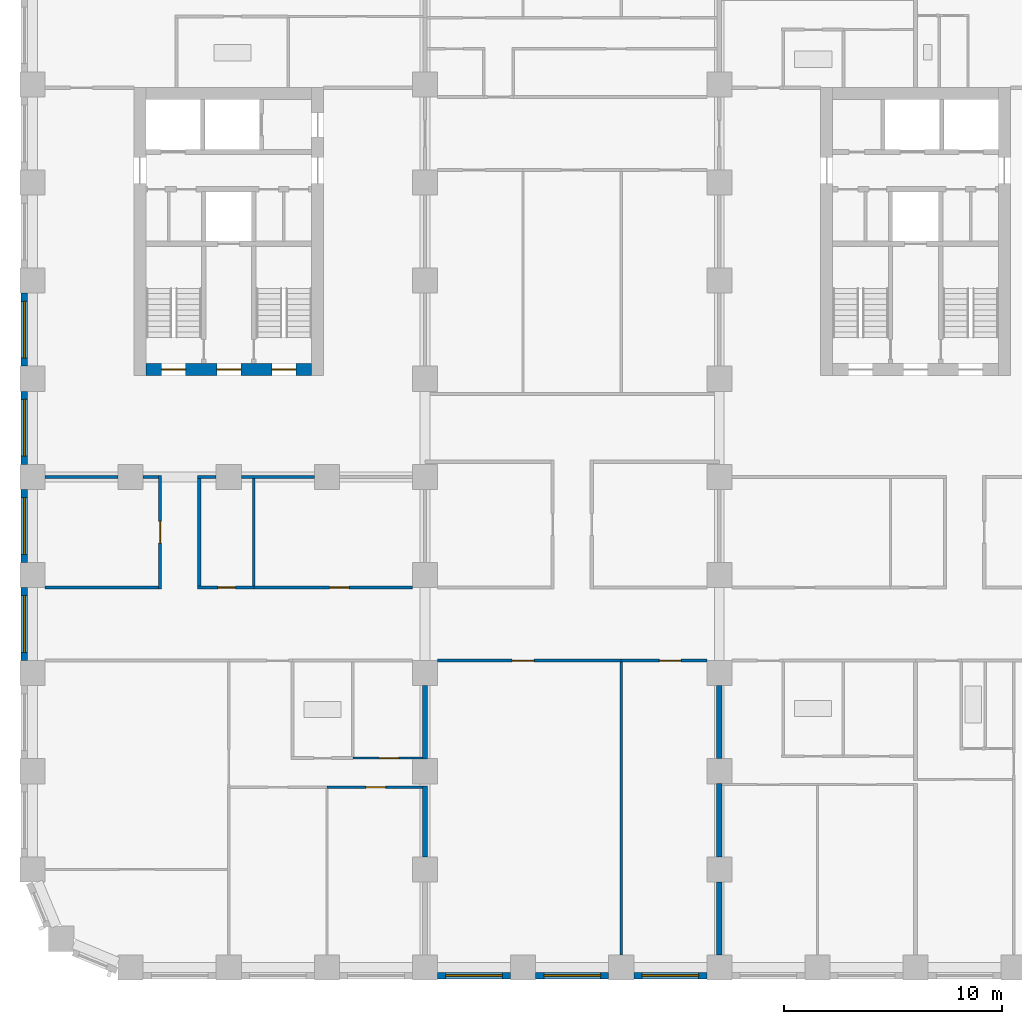
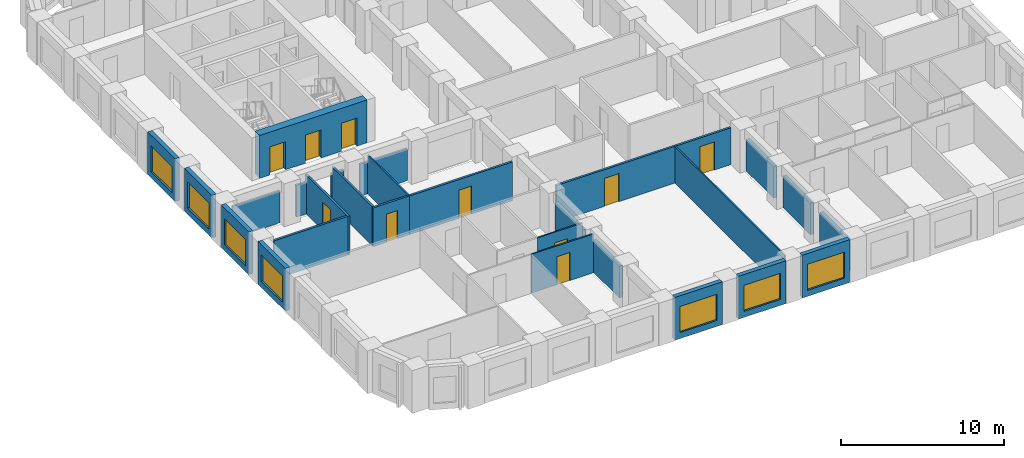
# One storey, part 3 of 13: 28 walls, 10 doors, 7 windows, 17 openings.
"""IFC4 building model written with IfcOpenShell, lengths in metres."""

from ifc_helpers import new_model, si_unit, direction, frame, frame_2d, origin, place, context, subcontext, project, spatial, rectangle, extrude, material, layer, layer_set, type_object, element, fill, save


model = new_model("IFC4")

# Units and contexts
model_context = context("Model", 3, precision=1e-05, world=origin(), true_north=direction((0.0, 1.0)))
body_context = subcontext(model_context, "Body", "Model", "MODEL_VIEW")
ifc_project = project(units=[si_unit("LENGTHUNIT", "METRE"), si_unit("AREAUNIT", "SQUARE_METRE"), si_unit("VOLUMEUNIT", "CUBIC_METRE"), si_unit("PLANEANGLEUNIT", "RADIAN"), si_unit("MASSUNIT", "GRAM", prefix="KILO")], contexts=[model_context])

# Site, building, storey
site_placement = place(None, origin())
site = spatial("IfcSite", under=ifc_project, at=site_placement, CompositionType="ELEMENT")
building_placement = place(site_placement, origin())
building = spatial("IfcBuilding", under=site, at=building_placement, Name="Girih Gate Residences", CompositionType="ELEMENT")
storey_placement = place(building_placement, frame((0.0, 0.0, 92.800048828125)))
storey = spatial("IfcBuildingStorey", under=building, at=storey_placement, Name="L25", CompositionType="ELEMENT", Elevation=92.800048828125)

# Walls
ifc_material_1 = material(Name="Gypsum board on steel studs", Category="steel")
ifc_layer_1 = layer(ifc_material_1, 0.25)
ifc_layer_set_1 = layer_set([ifc_layer_1], Name="Acoustic separating wall 250 mm")
wall_type_1 = type_object("IfcWallType", Name="Acoustic separating wall 250 mm", PredefinedType="PARTITIONING", material=ifc_layer_set_1)
wall_1_placement = place(storey_placement, frame((18.0, 5.074951171875, 0.0), z_axis=(0.0, 0.0, 1.0), x_axis=(0.0, 1.0, 0.0)))
element("IfcWall", 1, at=wall_1_placement, inside=storey, type_object=wall_type_1, Name="L25 partition", PredefinedType="PARTITIONING", context=body_context, shape_type="SweptSolid", body=[
    extrude(rectangle(XDim=3.239990234375, YDim=0.25, at=frame_2d((1.6201171875, 0.0))), origin(), (0.0, 0.0, 1.0), 2.3798828125),
])
wall_2_placement = place(storey_placement, frame((18.0, 9.554931640625, 0.0), z_axis=(0.0, 0.0, 1.0), x_axis=(0.0, 1.0, 0.0)))
element("IfcWall", 2, at=wall_2_placement, inside=storey, type_object=wall_type_1, Name="L25 partition", PredefinedType="PARTITIONING", context=body_context, shape_type="SweptSolid", body=[
    extrude(rectangle(XDim=3.3701171875, YDim=0.25, at=frame_2d((1.68505859375, 0.0))), origin(), (0.0, 0.0, 1.0), 2.3798828125),
])
for number, where, z_axis, x_axis, name in (
    (3, (31.5, 9.574951171875, 0.0), (0.0, 0.0, 1.0), (0.0, 1.0, 0.0), "L25 partition"),
    (4, (31.5, 0.574951171875, 0.0), (0.0, 0.0, 1.0), (0.0, 1.0, 0.0), "L25 partition"),
):
    element("IfcWall", number, at=place(storey_placement, frame(where, z_axis=z_axis, x_axis=x_axis)), inside=storey, type_object=wall_type_1, Name=name, PredefinedType="PARTITIONING", context=body_context, shape_type="SweptSolid", body=[
        extrude(rectangle(XDim=3.35009765625, YDim=0.25, at=frame_2d((1.675048828125, 0.0))), origin(), (0.0, 0.0, 1.0), 2.3798828125),
    ])
wall_3_placement = place(storey_placement, frame((31.5, 5.074951171875, 0.0), z_axis=(0.0, 0.0, 1.0), x_axis=(0.0, 1.0, 0.0)))
element("IfcWall", 5, at=wall_3_placement, inside=storey, type_object=wall_type_1, Name="L25 partition", PredefinedType="PARTITIONING", context=body_context, shape_type="SweptSolid", body=[
    extrude(rectangle(XDim=3.360107421875, YDim=0.25, at=frame_2d((1.68017578125, 0.0))), origin(), (0.0, 0.0, 1.0), 2.3798828125),
])

# Wall, opening, door
ifc_layer_2 = layer(ifc_material_1, 0.14990234375)
ifc_layer_set_2 = layer_set([ifc_layer_2], Name="Compartment wall 150 mm")
wall_type_2 = type_object("IfcWallType", Name="Compartment wall 150 mm", PredefinedType="PARTITIONING", material=ifc_layer_set_2)
wall_4_placement = place(storey_placement, frame((27.0, 14.074951171875, 0.0), z_axis=(0.0, 0.0, 1.0), x_axis=(-1.0, 0.0, 0.0)))
wall_4 = element("IfcWall", 6, at=wall_4_placement, inside=storey, type_object=wall_type_2, Name="L25 partition", PredefinedType="PARTITIONING", context=body_context, shape_type="SweptSolid", body=[
    extrude(rectangle(XDim=8.425048828125, YDim=0.14990234375, at=frame_2d((4.21240234375, 0.0))), origin(), (0.0, 0.0, 1.0), 2.75),
])
opening_1_placement = place(wall_4_placement, frame((4.0, 0.0, 0.0)))
opening_1 = element("IfcOpeningElement", 7, at=opening_1_placement, cuts=wall_4, Name="Opening A25-046", PredefinedType="OPENING", context=body_context, shape_type="SweptSolid", body=[
    extrude(rectangle(XDim=1.0, YDim=2.10009765625, at=frame_2d((0.5, 1.050048828125))), frame((0.0, 0.0849609375, 0.0), z_axis=(0.0, -1.0, 0.0), x_axis=(1.0, 0.0, 0.0)), (0.0, 0.0, 1.0), 0.169921875),
])
ifc_material_2 = material(Name="Timber, fire-rated core", Category="wood")
door_type_1 = type_object("IfcDoorType", Name="Amenity room door 1000x2100 FD30S", OperationType="NOTDEFINED", PredefinedType="DOOR", material=ifc_material_2)
door_1_placement = place(opening_1_placement, origin())
door_1 = element("IfcDoor", 8, at=door_1_placement, inside=storey, type_object=door_type_1, Name="Door A25-046", OperationType="SINGLE_SWING_RIGHT", OverallHeight=2.10009765625, OverallWidth=1.0, PredefinedType="DOOR", context=body_context, shape_type="SweptSolid", body=[
    extrude(rectangle(XDim=1.0, YDim=2.10009765625, at=frame_2d((0.5, 1.050048828125))), frame((0.0, 0.02490234375, 0.0), z_axis=(0.0, -1.0, 0.0), x_axis=(1.0, 0.0, 0.0)), (0.0, 0.0, 1.0), 0.050048828125),
])
fill(opening_1, door_1)

wall_5_placement = place(storey_placement, frame((30.925048828125, 14.074951171875, 0.0), z_axis=(0.0, 0.0, 1.0), x_axis=(-1.0, 0.0, 0.0)))
wall_5 = element("IfcWall", 9, at=wall_5_placement, inside=storey, type_object=wall_type_2, Name="L25 partition", PredefinedType="PARTITIONING", context=body_context, shape_type="SweptSolid", body=[
    extrude(rectangle(XDim=3.925048828125, YDim=0.14990234375, at=frame_2d((1.96240234375, 0.0))), origin(), (0.0, 0.0, 1.0), 2.75),
])
opening_2_placement = place(wall_5_placement, frame((1.175048828125, 0.0, 0.0)))
opening_2 = element("IfcOpeningElement", 10, at=opening_2_placement, cuts=wall_5, Name="Opening A25-047", PredefinedType="OPENING", context=body_context, shape_type="SweptSolid", body=[
    extrude(rectangle(XDim=1.0, YDim=2.10009765625, at=frame_2d((0.5, 1.050048828125))), frame((0.0, 0.0849609375, 0.0), z_axis=(0.0, -1.0, 0.0), x_axis=(1.0, 0.0, 0.0)), (0.0, 0.0, 1.0), 0.169921875),
])
door_2_placement = place(opening_2_placement, origin())
door_2 = element("IfcDoor", 11, at=door_2_placement, inside=storey, type_object=door_type_1, Name="Door A25-047", OperationType="SINGLE_SWING_LEFT", OverallHeight=2.10009765625, OverallWidth=1.0, PredefinedType="DOOR", context=body_context, shape_type="SweptSolid", body=[
    extrude(rectangle(XDim=1.0, YDim=2.10009765625, at=frame_2d((0.5, 1.050048828125))), frame((0.0, 0.02490234375, 0.0), z_axis=(0.0, -1.0, 0.0), x_axis=(1.0, 0.0, 0.0)), (0.0, 0.0, 1.0), 0.050048828125),
])
fill(opening_2, door_2)

wall_6_placement = place(storey_placement, frame((10.14990234375, 17.425048828125, 0.0), z_axis=(0.0, 0.0, 1.0), x_axis=(1.0, 0.0, 0.0)))
wall_6 = element("IfcWall", 12, at=wall_6_placement, inside=storey, type_object=wall_type_2, Name="L25 partition", PredefinedType="PARTITIONING", context=body_context, shape_type="SweptSolid", body=[
    extrude(rectangle(XDim=7.275146484375, YDim=0.14990234375, at=frame_2d((3.6376953125, 0.0))), origin(), (0.0, 0.0, 1.0), 2.89990234375),
])
opening_3_placement = place(wall_6_placement, frame((3.47509765625, 0.0, 0.0)))
opening_3 = element("IfcOpeningElement", 13, at=opening_3_placement, cuts=wall_6, Name="Opening A25-051", PredefinedType="OPENING", context=body_context, shape_type="SweptSolid", body=[
    extrude(rectangle(XDim=0.89990234375, YDim=2.10009765625, at=frame_2d((0.449951171875, 1.050048828125))), frame((0.0, 0.0849609375, 0.0), z_axis=(0.0, -1.0, 0.0), x_axis=(1.0, 0.0, 0.0)), (0.0, 0.0, 1.0), 0.169921875),
])
ifc_material_3 = material(Name="Timber", Category="wood")
door_type_2 = type_object("IfcDoorType", Name="Service room door 900x2100", OperationType="NOTDEFINED", PredefinedType="DOOR", material=ifc_material_3)
door_3_placement = place(opening_3_placement, origin())
door_3 = element("IfcDoor", 14, at=door_3_placement, inside=storey, type_object=door_type_2, Name="Door A25-051", OperationType="SINGLE_SWING_RIGHT", OverallHeight=2.10009765625, OverallWidth=0.89990234375, PredefinedType="DOOR", context=body_context, shape_type="SweptSolid", body=[
    extrude(rectangle(XDim=0.89990234375, YDim=2.10009765625, at=frame_2d((0.449951171875, 1.050048828125))), frame((0.0, 0.02490234375, 0.0), z_axis=(0.0, -1.0, 0.0), x_axis=(1.0, 0.0, 0.0)), (0.0, 0.0, 1.0), 0.050048828125),
])
fill(opening_3, door_3)

wall_7_placement = place(storey_placement, frame((7.574951171875, 17.425048828125, 0.0), z_axis=(0.0, 0.0, 1.0), x_axis=(1.0, 0.0, 0.0)))
wall_7 = element("IfcWall", 15, at=wall_7_placement, inside=storey, type_object=wall_type_2, Name="L25 partition", PredefinedType="PARTITIONING", context=body_context, shape_type="SweptSolid", body=[
    extrude(rectangle(XDim=2.574951171875, YDim=0.14990234375, at=frame_2d((1.28759765625, 0.0))), origin(), (0.0, 0.0, 1.0), 2.89990234375),
])
opening_4_placement = place(wall_7_placement, frame((0.925048828125, 0.0, 0.0)))
opening_4 = element("IfcOpeningElement", 16, at=opening_4_placement, cuts=wall_7, Name="Opening A25-053", PredefinedType="OPENING", context=body_context, shape_type="SweptSolid", body=[
    extrude(rectangle(XDim=0.800048828125, YDim=2.10009765625, at=frame_2d((0.39990234375, 1.050048828125))), frame((0.0, 0.0849609375, 0.0), z_axis=(0.0, -1.0, 0.0), x_axis=(1.0, 0.0, 0.0)), (0.0, 0.0, 1.0), 0.169921875),
])
door_type_3 = type_object("IfcDoorType", Name="Bathroom door 800x2100", OperationType="NOTDEFINED", PredefinedType="DOOR", material=ifc_material_3)
door_4_placement = place(opening_4_placement, origin())
door_4 = element("IfcDoor", 17, at=door_4_placement, inside=storey, type_object=door_type_3, Name="Door A25-053", OperationType="SINGLE_SWING_RIGHT", OverallHeight=2.10009765625, OverallWidth=0.800048828125, PredefinedType="DOOR", context=body_context, shape_type="SweptSolid", body=[
    extrude(rectangle(XDim=0.800048828125, YDim=2.10009765625, at=frame_2d((0.39990234375, 1.050048828125))), frame((0.0, 0.02490234375, 0.0), z_axis=(0.0, -1.0, 0.0), x_axis=(1.0, 0.0, 0.0)), (0.0, 0.0, 1.0), 0.050048828125),
])
fill(opening_4, door_4)

# Walls
wall_8_placement = place(storey_placement, frame((0.574951171875, 17.425048828125, 0.0), z_axis=(0.0, 0.0, 1.0), x_axis=(1.0, 0.0, 0.0)))
element("IfcWall", 18, at=wall_8_placement, inside=storey, type_object=wall_type_2, Name="L25 partition", PredefinedType="PARTITIONING", context=body_context, shape_type="SweptSolid", body=[
    extrude(rectangle(XDim=5.199951171875, YDim=0.14990234375, at=frame_2d((2.60009765625, 0.0))), origin(), (0.0, 0.0, 1.0), 2.89990234375),
])
wall_9_placement = place(storey_placement, frame((9.574951171875, 22.5, 0.0), z_axis=(0.0, 0.0, 1.0), x_axis=(1.0, 0.0, 0.0)))
element("IfcWall", 19, at=wall_9_placement, inside=storey, type_object=wall_type_2, Name="L25 partition", PredefinedType="PARTITIONING", context=body_context, shape_type="SweptSolid", body=[
    extrude(rectangle(XDim=3.35009765625, YDim=0.14990234375, at=frame_2d((1.675048828125, 0.0))), origin(), (0.0, 0.0, 1.0), 2.3798828125),
])
wall_10_placement = place(storey_placement, frame((7.574951171875, 22.5, 0.0), z_axis=(0.0, 0.0, 1.0), x_axis=(1.0, 0.0, 0.0)))
element("IfcWall", 20, at=wall_10_placement, inside=storey, type_object=wall_type_2, Name="L25 partition", PredefinedType="PARTITIONING", context=body_context, shape_type="SweptSolid", body=[
    extrude(rectangle(XDim=0.85009765625, YDim=0.14990234375, at=frame_2d((0.425048828125, 0.0))), origin(), (0.0, 0.0, 1.0), 2.3798828125),
])
wall_11_placement = place(storey_placement, frame((5.074951171875, 22.5, 0.0), z_axis=(0.0, 0.0, 1.0), x_axis=(1.0, 0.0, 0.0)))
element("IfcWall", 21, at=wall_11_placement, inside=storey, type_object=wall_type_2, Name="L25 partition", PredefinedType="PARTITIONING", context=body_context, shape_type="SweptSolid", body=[
    extrude(rectangle(XDim=0.699951171875, YDim=0.14990234375, at=frame_2d((0.35009765625, 0.0))), origin(), (0.0, 0.0, 1.0), 2.3798828125),
])
wall_12_placement = place(storey_placement, frame((0.574951171875, 22.5, 0.0), z_axis=(0.0, 0.0, 1.0), x_axis=(1.0, 0.0, 0.0)))
element("IfcWall", 22, at=wall_12_placement, inside=storey, type_object=wall_type_2, Name="L25 partition", PredefinedType="PARTITIONING", context=body_context, shape_type="SweptSolid", body=[
    extrude(rectangle(XDim=3.35009765625, YDim=0.14990234375, at=frame_2d((1.675048828125, 0.0))), origin(), (0.0, 0.0, 1.0), 2.3798828125),
])
wall_13_placement = place(storey_placement, frame((7.64990234375, 17.5, 0.0), z_axis=(0.0, 0.0, 1.0), x_axis=(0.0, 1.0, 0.0)))
element("IfcWall", 23, at=wall_13_placement, inside=storey, type_object=wall_type_2, Name="L25 partition", PredefinedType="PARTITIONING", context=body_context, shape_type="SweptSolid", body=[
    extrude(rectangle(XDim=4.925048828125, YDim=0.14990234375, at=frame_2d((2.46240234375, 0.0))), origin(), (0.0, 0.0, 1.0), 2.89990234375),
])

# Wall, opening, door
wall_14_placement = place(storey_placement, frame((5.85009765625, 17.35009765625, 0.0), z_axis=(0.0, 0.0, 1.0), x_axis=(0.0, 1.0, 0.0)))
wall_14 = element("IfcWall", 24, at=wall_14_placement, inside=storey, type_object=wall_type_2, Name="L25 partition", PredefinedType="PARTITIONING", context=body_context, shape_type="SweptSolid", body=[
    extrude(rectangle(XDim=5.224853515625, YDim=0.14990234375, at=frame_2d((2.6123046875, 0.0))), origin(), (0.0, 0.0, 1.0), 2.89990234375),
])
opening_5_placement = place(wall_14_placement, frame((2.112548828125, 0.0, 0.0)))
opening_5 = element("IfcOpeningElement", 25, at=opening_5_placement, cuts=wall_14, Name="Opening A25-055", PredefinedType="OPENING", context=body_context, shape_type="SweptSolid", body=[
    extrude(rectangle(XDim=1.0, YDim=2.10009765625, at=frame_2d((0.5, 1.050048828125))), frame((0.0, 0.0849609375, 0.0), z_axis=(0.0, -1.0, 0.0), x_axis=(1.0, 0.0, 0.0)), (0.0, 0.0, 1.0), 0.169921875),
])
door_5_placement = place(opening_5_placement, origin())
door_5 = element("IfcDoor", 26, at=door_5_placement, inside=storey, type_object=door_type_1, Name="Door A25-055", OperationType="SINGLE_SWING_LEFT", OverallHeight=2.10009765625, OverallWidth=1.0, PredefinedType="DOOR", context=body_context, shape_type="SweptSolid", body=[
    extrude(rectangle(XDim=1.0, YDim=2.10009765625, at=frame_2d((0.5, 1.050048828125))), frame((0.0, 0.02490234375, 0.0), z_axis=(0.0, -1.0, 0.0), x_axis=(1.0, 0.0, 0.0)), (0.0, 0.0, 1.0), 0.050048828125),
])
fill(opening_5, door_5)

# Wall, openings, doors
ifc_material_4 = material(Name="Concrete C60/75", Category="concrete")
ifc_layer_3 = layer(ifc_material_4, 0.550048828125)
ifc_layer_set_3 = layer_set([ifc_layer_3], Name="Core wall RC 550 Concrete C60/75")
wall_type_3 = type_object("IfcWallType", Name="Core wall RC 550 Concrete C60/75", PredefinedType="SOLIDWALL", material=ifc_layer_set_3)
wall_15_placement = place(storey_placement, frame((5.199951171875, 27.425048828125, 0.0), z_axis=(0.0, 0.0, 1.0), x_axis=(1.0, 0.0, 0.0)))
wall_15 = element("IfcWall", 27, at=wall_15_placement, inside=storey, type_object=wall_type_3, Name="Core wall W-S L25", PredefinedType="SOLIDWALL", context=body_context, shape_type="SweptSolid", body=[
    extrude(rectangle(XDim=7.60009765625, YDim=0.550048828125, at=frame_2d((3.800048828125, 0.0))), origin(), (0.0, 0.0, 1.0), 3.199951171875),
])
opening_6_placement = place(wall_15_placement, frame((0.72509765625, 0.0, 0.0)))
opening_6 = element("IfcOpeningElement", 28, at=opening_6_placement, cuts=wall_15, Name="Opening D-L25-W-010", PredefinedType="OPENING", context=body_context, shape_type="SweptSolid", body=[
    extrude(rectangle(XDim=1.10009765625, YDim=2.10009765625, at=frame_2d((0.550048828125, 1.050048828125))), frame((0.0, 0.284912109375, 0.0), z_axis=(0.0, -1.0, 0.0), x_axis=(1.0, 0.0, 0.0)), (0.0, 0.0, 1.0), 0.570068359375),
])
opening_7_placement = place(wall_15_placement, frame((3.25, 0.0, 0.0)))
opening_7 = element("IfcOpeningElement", 29, at=opening_7_placement, cuts=wall_15, Name="Opening D-L25-W-011", PredefinedType="OPENING", context=body_context, shape_type="SweptSolid", body=[
    extrude(rectangle(XDim=1.10009765625, YDim=2.10009765625, at=frame_2d((0.550048828125, 1.050048828125))), frame((0.0, 0.284912109375, 0.0), z_axis=(0.0, -1.0, 0.0), x_axis=(1.0, 0.0, 0.0)), (0.0, 0.0, 1.0), 0.570068359375),
])
opening_8_placement = place(wall_15_placement, frame((5.77490234375, 0.0, 0.0)))
opening_8 = element("IfcOpeningElement", 30, at=opening_8_placement, cuts=wall_15, Name="Opening D-L25-W-012", PredefinedType="OPENING", context=body_context, shape_type="SweptSolid", body=[
    extrude(rectangle(XDim=1.10009765625, YDim=2.10009765625, at=frame_2d((0.550048828125, 1.050048828125))), frame((0.0, 0.284912109375, 0.0), z_axis=(0.0, -1.0, 0.0), x_axis=(1.0, 0.0, 0.0)), (0.0, 0.0, 1.0), 0.570068359375),
])
ifc_material_5 = material(Name="Painted steel, fire-resisting", Category="steel")
door_type_4 = type_object("IfcDoorType", Name="Fire door 1100x2100", OperationType="SINGLE_SWING_LEFT", PredefinedType="DOOR", material=ifc_material_5)
door_6_placement = place(opening_6_placement, origin())
door_6 = element("IfcDoor", 31, at=door_6_placement, inside=storey, type_object=door_type_4, Name="L25 W core door sta-out", OperationType="SINGLE_SWING_LEFT", OverallHeight=2.10009765625, OverallWidth=1.10009765625, PredefinedType="DOOR", context=body_context, shape_type="SweptSolid", body=[
    extrude(rectangle(XDim=1.10009765625, YDim=2.10009765625, at=frame_2d((0.550048828125, 1.050048828125))), frame((0.0, 0.02490234375, 0.0), z_axis=(0.0, -1.0, 0.0), x_axis=(1.0, 0.0, 0.0)), (0.0, 0.0, 1.0), 0.050048828125),
])
fill(opening_6, door_6)
door_7_placement = place(opening_7_placement, origin())
door_7 = element("IfcDoor", 32, at=door_7_placement, inside=storey, type_object=door_type_4, Name="L25 W core door ffl-out", OperationType="SINGLE_SWING_LEFT", OverallHeight=2.10009765625, OverallWidth=1.10009765625, PredefinedType="DOOR", context=body_context, shape_type="SweptSolid", body=[
    extrude(rectangle(XDim=1.10009765625, YDim=2.10009765625, at=frame_2d((0.550048828125, 1.050048828125))), frame((0.0, 0.02490234375, 0.0), z_axis=(0.0, -1.0, 0.0), x_axis=(1.0, 0.0, 0.0)), (0.0, 0.0, 1.0), 0.050048828125),
])
fill(opening_7, door_7)
door_8_placement = place(opening_8_placement, origin())
door_8 = element("IfcDoor", 33, at=door_8_placement, inside=storey, type_object=door_type_4, Name="L25 W core door stb-out", OperationType="SINGLE_SWING_LEFT", OverallHeight=2.10009765625, OverallWidth=1.10009765625, PredefinedType="DOOR", context=body_context, shape_type="SweptSolid", body=[
    extrude(rectangle(XDim=1.10009765625, YDim=2.10009765625, at=frame_2d((0.550048828125, 1.050048828125))), frame((0.0, 0.02490234375, 0.0), z_axis=(0.0, -1.0, 0.0), x_axis=(1.0, 0.0, 0.0)), (0.0, 0.0, 1.0), 0.050048828125),
])
fill(opening_8, door_8)

# Wall, opening, door
ifc_layer_4 = layer(ifc_material_1, 0.10009765625)
ifc_layer_set_4 = layer_set([ifc_layer_4], Name="Partition 100 mm")
wall_type_4 = type_object("IfcWallType", Name="Partition 100 mm", PredefinedType="PARTITIONING", material=ifc_layer_set_4)
wall_16_placement = place(storey_placement, frame((17.875, 8.264892578125, 0.0), z_axis=(0.0, 0.0, 1.0), x_axis=(-1.0, 0.0, 0.0)))
wall_16 = element("IfcWall", 34, at=wall_16_placement, inside=storey, type_object=wall_type_4, Name="L25 partition", PredefinedType="PARTITIONING", context=body_context, shape_type="SweptSolid", body=[
    extrude(rectangle(XDim=4.375, YDim=0.10009765625, at=frame_2d((2.1875, 0.0))), origin(), (0.0, 0.0, 1.0), 2.89990234375),
])
opening_9_placement = place(wall_16_placement, frame((1.675048828125, 0.0, 0.0)))
opening_9 = element("IfcOpeningElement", 35, at=opening_9_placement, cuts=wall_16, Name="Opening A25-003", PredefinedType="OPENING", context=body_context, shape_type="SweptSolid", body=[
    extrude(rectangle(XDim=0.89990234375, YDim=2.10009765625, at=frame_2d((0.449951171875, 1.050048828125))), frame((0.0, 0.06005859375, 0.0), z_axis=(0.0, -1.0, 0.0), x_axis=(1.0, 0.0, 0.0)), (0.0, 0.0, 1.0), 0.1201171875),
])
door_type_5 = type_object("IfcDoorType", Name="Bedroom door 900x2100", OperationType="NOTDEFINED", PredefinedType="DOOR", material=ifc_material_3)
door_9_placement = place(opening_9_placement, origin())
door_9 = element("IfcDoor", 36, at=door_9_placement, inside=storey, type_object=door_type_5, Name="Door A25-003", OperationType="SINGLE_SWING_LEFT", OverallHeight=2.10009765625, OverallWidth=0.89990234375, PredefinedType="DOOR", context=body_context, shape_type="SweptSolid", body=[
    extrude(rectangle(XDim=0.89990234375, YDim=2.10009765625, at=frame_2d((0.449951171875, 1.050048828125))), frame((0.0, 0.02490234375, 0.0), z_axis=(0.0, -1.0, 0.0), x_axis=(1.0, 0.0, 0.0)), (0.0, 0.0, 1.0), 0.050048828125),
])
fill(opening_9, door_9)

wall_17_placement = place(storey_placement, frame((14.6904296875, 9.60498046875, 0.0), z_axis=(0.0, 0.0, 1.0), x_axis=(1.0, 0.0, 0.0)))
wall_17 = element("IfcWall", 37, at=wall_17_placement, inside=storey, type_object=wall_type_4, Name="L25 partition", PredefinedType="PARTITIONING", context=body_context, shape_type="SweptSolid", body=[
    extrude(rectangle(XDim=3.1845703125, YDim=0.10009765625, at=frame_2d((1.59228515625, 0.0))), origin(), (0.0, 0.0, 1.0), 2.89990234375),
])
opening_10_placement = place(wall_17_placement, frame((1.20458984375, 0.0, 0.0)))
opening_10 = element("IfcOpeningElement", 38, at=opening_10_placement, cuts=wall_17, Name="Opening A25-006", PredefinedType="OPENING", context=body_context, shape_type="SweptSolid", body=[
    extrude(rectangle(XDim=0.89990234375, YDim=2.10009765625, at=frame_2d((0.449951171875, 1.050048828125))), frame((0.0, 0.06005859375, 0.0), z_axis=(0.0, -1.0, 0.0), x_axis=(1.0, 0.0, 0.0)), (0.0, 0.0, 1.0), 0.1201171875),
])
door_type_6 = type_object("IfcDoorType", Name="Kitchen door 900x2100", OperationType="NOTDEFINED", PredefinedType="DOOR", material=ifc_material_3)
door_10_placement = place(opening_10_placement, origin())
door_10 = element("IfcDoor", 39, at=door_10_placement, inside=storey, type_object=door_type_6, Name="Door A25-006", OperationType="SINGLE_SWING_RIGHT", OverallHeight=2.10009765625, OverallWidth=0.89990234375, PredefinedType="DOOR", context=body_context, shape_type="SweptSolid", body=[
    extrude(rectangle(XDim=0.89990234375, YDim=2.10009765625, at=frame_2d((0.449951171875, 1.050048828125))), frame((0.0, 0.02490234375, 0.0), z_axis=(0.0, -1.0, 0.0), x_axis=(1.0, 0.0, 0.0)), (0.0, 0.0, 1.0), 0.050048828125),
])
fill(opening_10, door_10)

# Walls
wall_18_placement = place(storey_placement, frame((27.0, 0.574951171875, 0.0), z_axis=(0.0, 0.0, 1.0), x_axis=(0.0, 1.0, 0.0)))
element("IfcWall", 40, at=wall_18_placement, inside=storey, type_object=wall_type_4, Name="L25 partition", PredefinedType="PARTITIONING", context=body_context, shape_type="SweptSolid", body=[
    extrude(rectangle(XDim=13.425048828125, YDim=0.10009765625, at=frame_2d((6.71240234375, 0.0))), origin(), (0.0, 0.0, 1.0), 2.75),
])
wall_19_placement = place(storey_placement, frame((10.14990234375, 17.5, 0.0), z_axis=(0.0, 0.0, 1.0), x_axis=(0.0, 1.0, 0.0)))
element("IfcWall", 41, at=wall_19_placement, inside=storey, type_object=wall_type_4, Name="L25 partition", PredefinedType="PARTITIONING", context=body_context, shape_type="SweptSolid", body=[
    extrude(rectangle(XDim=4.925048828125, YDim=0.10009765625, at=frame_2d((2.46240234375, 0.0))), origin(), (0.0, 0.0, 1.0), 2.89990234375),
])

# Wall, opening, window
ifc_material_6 = material(Name="Precast concrete C50/60", Category="concrete")
ifc_layer_5 = layer(ifc_material_6, 0.080078125, Name="Outer leaf")
ifc_material_7 = material(Name="Rigid PIR insulation")
ifc_layer_6 = layer(ifc_material_7, 0.14990234375, Name="Insulation")
ifc_material_8 = material(Name="Precast concrete C40/50", Category="concrete")
ifc_layer_7 = layer(ifc_material_8, 0.070068359375, Name="Inner leaf")
ifc_layer_set_5 = layer_set([ifc_layer_5, ifc_layer_6, ifc_layer_7], Name="Precast concrete C50/60 external wall 300")
wall_type_5 = type_object("IfcWallType", Name="Precast concrete C50/60 external wall 300", PredefinedType="SOLIDWALL", material=ifc_layer_set_5)
wall_20_placement = place(storey_placement, frame((21.925048828125, -0.375, 0.0), z_axis=(0.0, 0.0, 1.0), x_axis=(-1.0, 0.0, 0.0)))
wall_20 = element("IfcWall", 42, at=wall_20_placement, inside=storey, type_object=wall_type_5, Name="External wall S0045_0000.3", PredefinedType="SOLIDWALL", context=body_context, shape_type="SweptSolid", body=[
    extrude(rectangle(XDim=3.35009765625, YDim=0.300048828125, at=frame_2d((1.675048828125, 0.0))), origin(), (0.0, 0.0, 1.0), 3.199951171875),
])
opening_11_placement = place(wall_20_placement, frame((0.375, 0.0, 0.449951171875)))
opening_11 = element("IfcOpeningElement", 43, at=opening_11_placement, cuts=wall_20, Name="Opening W-1A", PredefinedType="OPENING", context=body_context, shape_type="SweptSolid", body=[
    extrude(rectangle(XDim=2.60009765625, YDim=1.949951171875, at=frame_2d((1.300048828125, 0.97509765625))), frame((0.0, 0.159912109375, 0.0), z_axis=(0.0, -1.0, 0.0), x_axis=(1.0, 0.0, 0.0)), (0.0, 0.0, 1.0), 0.320068359375),
])
ifc_material_9 = material(Name="Double glazing in aluminium frame", Category="aluminium")
window_type = type_object("IfcWindowType", Name="Window W-1A 2600x1950", PartitioningType="SINGLE_PANEL", PredefinedType="WINDOW", material=ifc_material_9)
window_1_placement = place(opening_11_placement, origin())
window_1 = element("IfcWindow", 44, at=window_1_placement, inside=storey, type_object=window_type, Name="Window W-1A S0045_0000.3", OverallHeight=1.949951171875, OverallWidth=2.60009765625, PartitioningType="SINGLE_PANEL", PredefinedType="WINDOW", context=body_context, shape_type="SweptSolid", body=[
    extrude(rectangle(XDim=2.60009765625, YDim=1.949951171875, at=frame_2d((1.300048828125, 0.97509765625))), frame((0.0, 0.030029296875, 0.0), z_axis=(0.0, -1.0, 0.0), x_axis=(1.0, 0.0, 0.0)), (0.0, 0.0, 1.0), 0.06005859375),
])
fill(opening_11, window_1)

wall_21_placement = place(storey_placement, frame((26.425048828125, -0.375, 0.0), z_axis=(0.0, 0.0, 1.0), x_axis=(-1.0, 0.0, 0.0)))
wall_21 = element("IfcWall", 45, at=wall_21_placement, inside=storey, type_object=wall_type_5, Name="External wall S0045_0000.4", PredefinedType="SOLIDWALL", context=body_context, shape_type="SweptSolid", body=[
    extrude(rectangle(XDim=3.35009765625, YDim=0.300048828125, at=frame_2d((1.675048828125, 0.0))), origin(), (0.0, 0.0, 1.0), 3.199951171875),
])
opening_12_placement = place(wall_21_placement, frame((0.375, 0.0, 0.449951171875)))
opening_12 = element("IfcOpeningElement", 46, at=opening_12_placement, cuts=wall_21, Name="Opening W-1A", PredefinedType="OPENING", context=body_context, shape_type="SweptSolid", body=[
    extrude(rectangle(XDim=2.60009765625, YDim=1.949951171875, at=frame_2d((1.300048828125, 0.97509765625))), frame((0.0, 0.159912109375, 0.0), z_axis=(0.0, -1.0, 0.0), x_axis=(1.0, 0.0, 0.0)), (0.0, 0.0, 1.0), 0.320068359375),
])
window_2_placement = place(opening_12_placement, origin())
window_2 = element("IfcWindow", 47, at=window_2_placement, inside=storey, type_object=window_type, Name="Window W-1A S0045_0000.4", OverallHeight=1.949951171875, OverallWidth=2.60009765625, PartitioningType="SINGLE_PANEL", PredefinedType="WINDOW", context=body_context, shape_type="SweptSolid", body=[
    extrude(rectangle(XDim=2.60009765625, YDim=1.949951171875, at=frame_2d((1.300048828125, 0.97509765625))), frame((0.0, 0.030029296875, 0.0), z_axis=(0.0, -1.0, 0.0), x_axis=(1.0, 0.0, 0.0)), (0.0, 0.0, 1.0), 0.06005859375),
])
fill(opening_12, window_2)

wall_22_placement = place(storey_placement, frame((30.925048828125, -0.375, 0.0), z_axis=(0.0, 0.0, 1.0), x_axis=(-1.0, 0.0, 0.0)))
wall_22 = element("IfcWall", 48, at=wall_22_placement, inside=storey, type_object=wall_type_5, Name="External wall S0045_0000.5", PredefinedType="SOLIDWALL", context=body_context, shape_type="SweptSolid", body=[
    extrude(rectangle(XDim=3.35009765625, YDim=0.300048828125, at=frame_2d((1.675048828125, 0.0))), origin(), (0.0, 0.0, 1.0), 3.199951171875),
])
opening_13_placement = place(wall_22_placement, frame((0.375, 0.0, 0.449951171875)))
opening_13 = element("IfcOpeningElement", 49, at=opening_13_placement, cuts=wall_22, Name="Opening W-1A", PredefinedType="OPENING", context=body_context, shape_type="SweptSolid", body=[
    extrude(rectangle(XDim=2.60009765625, YDim=1.949951171875, at=frame_2d((1.300048828125, 0.97509765625))), frame((0.0, 0.159912109375, 0.0), z_axis=(0.0, -1.0, 0.0), x_axis=(1.0, 0.0, 0.0)), (0.0, 0.0, 1.0), 0.320068359375),
])
window_3_placement = place(opening_13_placement, origin())
window_3 = element("IfcWindow", 50, at=window_3_placement, inside=storey, type_object=window_type, Name="Window W-1A S0045_0000.5", OverallHeight=1.949951171875, OverallWidth=2.60009765625, PartitioningType="SINGLE_PANEL", PredefinedType="WINDOW", context=body_context, shape_type="SweptSolid", body=[
    extrude(rectangle(XDim=2.60009765625, YDim=1.949951171875, at=frame_2d((1.300048828125, 0.97509765625))), frame((0.0, 0.030029296875, 0.0), z_axis=(0.0, -1.0, 0.0), x_axis=(1.0, 0.0, 0.0)), (0.0, 0.0, 1.0), 0.06005859375),
])
fill(opening_13, window_3)

wall_23_placement = place(storey_placement, frame((-0.375, 27.574951171875, 0.0), z_axis=(0.0, 0.0, 1.0), x_axis=(0.0, 1.0, 0.0)))
wall_23 = element("IfcWall", 51, at=wall_23_placement, inside=storey, type_object=wall_type_5, Name="External wall W0000_0450.3", PredefinedType="SOLIDWALL", context=body_context, shape_type="SweptSolid", body=[
    extrude(rectangle(XDim=3.35009765625, YDim=0.300048828125, at=frame_2d((1.675048828125, 0.0))), origin(), (0.0, 0.0, 1.0), 3.199951171875),
])
opening_14_placement = place(wall_23_placement, frame((0.375, 0.0, 0.449951171875)))
opening_14 = element("IfcOpeningElement", 52, at=opening_14_placement, cuts=wall_23, Name="Opening W-1A", PredefinedType="OPENING", context=body_context, shape_type="SweptSolid", body=[
    extrude(rectangle(XDim=2.60009765625, YDim=1.949951171875, at=frame_2d((1.300048828125, 0.97509765625))), frame((0.0, 0.159912109375, 0.0), z_axis=(0.0, -1.0, 0.0), x_axis=(1.0, 0.0, 0.0)), (0.0, 0.0, 1.0), 0.320068359375),
])
window_4_placement = place(opening_14_placement, origin())
window_4 = element("IfcWindow", 53, at=window_4_placement, inside=storey, type_object=window_type, Name="Window W-1A W0000_0450.3", OverallHeight=1.949951171875, OverallWidth=2.60009765625, PartitioningType="SINGLE_PANEL", PredefinedType="WINDOW", context=body_context, shape_type="SweptSolid", body=[
    extrude(rectangle(XDim=2.60009765625, YDim=1.949951171875, at=frame_2d((1.300048828125, 0.97509765625))), frame((0.0, 0.030029296875, 0.0), z_axis=(0.0, -1.0, 0.0), x_axis=(1.0, 0.0, 0.0)), (0.0, 0.0, 1.0), 0.06005859375),
])
fill(opening_14, window_4)

wall_24_placement = place(storey_placement, frame((-0.375, 23.074951171875, 0.0), z_axis=(0.0, 0.0, 1.0), x_axis=(0.0, 1.0, 0.0)))
wall_24 = element("IfcWall", 54, at=wall_24_placement, inside=storey, type_object=wall_type_5, Name="External wall W0000_0450.4", PredefinedType="SOLIDWALL", context=body_context, shape_type="SweptSolid", body=[
    extrude(rectangle(XDim=3.35009765625, YDim=0.300048828125, at=frame_2d((1.675048828125, 0.0))), origin(), (0.0, 0.0, 1.0), 3.199951171875),
])
opening_15_placement = place(wall_24_placement, frame((0.375, 0.0, 0.449951171875)))
opening_15 = element("IfcOpeningElement", 55, at=opening_15_placement, cuts=wall_24, Name="Opening W-1A", PredefinedType="OPENING", context=body_context, shape_type="SweptSolid", body=[
    extrude(rectangle(XDim=2.60009765625, YDim=1.949951171875, at=frame_2d((1.300048828125, 0.97509765625))), frame((0.0, 0.159912109375, 0.0), z_axis=(0.0, -1.0, 0.0), x_axis=(1.0, 0.0, 0.0)), (0.0, 0.0, 1.0), 0.320068359375),
])
window_5_placement = place(opening_15_placement, origin())
window_5 = element("IfcWindow", 56, at=window_5_placement, inside=storey, type_object=window_type, Name="Window W-1A W0000_0450.4", OverallHeight=1.949951171875, OverallWidth=2.60009765625, PartitioningType="SINGLE_PANEL", PredefinedType="WINDOW", context=body_context, shape_type="SweptSolid", body=[
    extrude(rectangle(XDim=2.60009765625, YDim=1.949951171875, at=frame_2d((1.300048828125, 0.97509765625))), frame((0.0, 0.030029296875, 0.0), z_axis=(0.0, -1.0, 0.0), x_axis=(1.0, 0.0, 0.0)), (0.0, 0.0, 1.0), 0.06005859375),
])
fill(opening_15, window_5)

wall_25_placement = place(storey_placement, frame((-0.375, 18.574951171875, 0.0), z_axis=(0.0, 0.0, 1.0), x_axis=(0.0, 1.0, 0.0)))
wall_25 = element("IfcWall", 57, at=wall_25_placement, inside=storey, type_object=wall_type_5, Name="External wall W0000_0450.5", PredefinedType="SOLIDWALL", context=body_context, shape_type="SweptSolid", body=[
    extrude(rectangle(XDim=3.35009765625, YDim=0.300048828125, at=frame_2d((1.675048828125, 0.0))), origin(), (0.0, 0.0, 1.0), 3.199951171875),
])
opening_16_placement = place(wall_25_placement, frame((0.375, 0.0, 0.449951171875)))
opening_16 = element("IfcOpeningElement", 58, at=opening_16_placement, cuts=wall_25, Name="Opening W-1A", PredefinedType="OPENING", context=body_context, shape_type="SweptSolid", body=[
    extrude(rectangle(XDim=2.60009765625, YDim=1.949951171875, at=frame_2d((1.300048828125, 0.97509765625))), frame((0.0, 0.159912109375, 0.0), z_axis=(0.0, -1.0, 0.0), x_axis=(1.0, 0.0, 0.0)), (0.0, 0.0, 1.0), 0.320068359375),
])
window_6_placement = place(opening_16_placement, origin())
window_6 = element("IfcWindow", 59, at=window_6_placement, inside=storey, type_object=window_type, Name="Window W-1A W0000_0450.5", OverallHeight=1.949951171875, OverallWidth=2.60009765625, PartitioningType="SINGLE_PANEL", PredefinedType="WINDOW", context=body_context, shape_type="SweptSolid", body=[
    extrude(rectangle(XDim=2.60009765625, YDim=1.949951171875, at=frame_2d((1.300048828125, 0.97509765625))), frame((0.0, 0.030029296875, 0.0), z_axis=(0.0, -1.0, 0.0), x_axis=(1.0, 0.0, 0.0)), (0.0, 0.0, 1.0), 0.06005859375),
])
fill(opening_16, window_6)

wall_26_placement = place(storey_placement, frame((-0.375, 14.074951171875, 0.0), z_axis=(0.0, 0.0, 1.0), x_axis=(0.0, 1.0, 0.0)))
wall_26 = element("IfcWall", 60, at=wall_26_placement, inside=storey, type_object=wall_type_5, Name="External wall W0000_0450.6", PredefinedType="SOLIDWALL", context=body_context, shape_type="SweptSolid", body=[
    extrude(rectangle(XDim=3.35009765625, YDim=0.300048828125, at=frame_2d((1.675048828125, 0.0))), origin(), (0.0, 0.0, 1.0), 3.199951171875),
])
opening_17_placement = place(wall_26_placement, frame((0.375, 0.0, 0.449951171875)))
opening_17 = element("IfcOpeningElement", 61, at=opening_17_placement, cuts=wall_26, Name="Opening W-1A", PredefinedType="OPENING", context=body_context, shape_type="SweptSolid", body=[
    extrude(rectangle(XDim=2.60009765625, YDim=1.949951171875, at=frame_2d((1.300048828125, 0.97509765625))), frame((0.0, 0.159912109375, 0.0), z_axis=(0.0, -1.0, 0.0), x_axis=(1.0, 0.0, 0.0)), (0.0, 0.0, 1.0), 0.320068359375),
])
window_7_placement = place(opening_17_placement, origin())
window_7 = element("IfcWindow", 62, at=window_7_placement, inside=storey, type_object=window_type, Name="Window W-1A W0000_0450.6", OverallHeight=1.949951171875, OverallWidth=2.60009765625, PartitioningType="SINGLE_PANEL", PredefinedType="WINDOW", context=body_context, shape_type="SweptSolid", body=[
    extrude(rectangle(XDim=2.60009765625, YDim=1.949951171875, at=frame_2d((1.300048828125, 0.97509765625))), frame((0.0, 0.030029296875, 0.0), z_axis=(0.0, -1.0, 0.0), x_axis=(1.0, 0.0, 0.0)), (0.0, 0.0, 1.0), 0.06005859375),
])
fill(opening_17, window_7)

save(model, "model.ifc")
